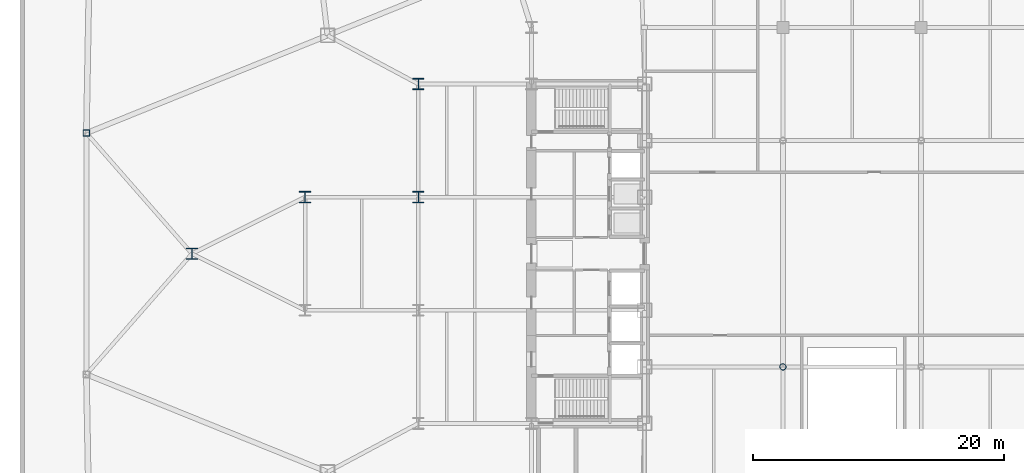
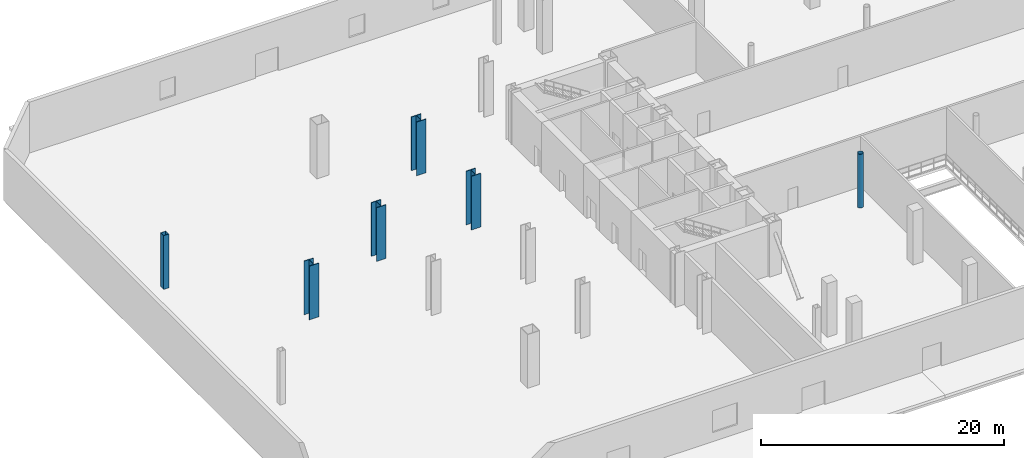
# One storey, part 2 of 21: 6 columns.
"""IFC4 building model written with IfcOpenShell, lengths in metres."""

from ifc_helpers import new_model, si_unit, direction, frame, origin, origin_2d, place, context, subcontext, project, spatial, hollow_rectangle, hollow_circle, i_section, extrude, source, transform, mapped, material, material_profile, profile_set, type_object, type_shapes, element, save


model = new_model("IFC4")

# Units and contexts
model_context = context("Model", 3, precision=1e-05, world=origin(), true_north=direction((0.0, 1.0)))
body_context = subcontext(model_context, "Body", "Model", "MODEL_VIEW")
ifc_project = project(units=[si_unit("LENGTHUNIT", "METRE"), si_unit("AREAUNIT", "SQUARE_METRE"), si_unit("VOLUMEUNIT", "CUBIC_METRE"), si_unit("PLANEANGLEUNIT", "RADIAN"), si_unit("MASSUNIT", "GRAM", prefix="KILO")], contexts=[model_context])

# Site, building, storey
site_placement = place(None, origin())
site = spatial("IfcSite", under=ifc_project, at=site_placement, CompositionType="ELEMENT")
building_placement = place(site_placement, origin())
building = spatial("IfcBuilding", under=site, at=building_placement, Name="Seokmaru Belvedere", CompositionType="ELEMENT")
storey_placement = place(building_placement, origin())
storey = spatial("IfcBuildingStorey", under=building, at=storey_placement, Name="L00", CompositionType="ELEMENT", Elevation=0.0)

# Columns
ifc_material_1 = material(Name="Steel HSA650 (650 MPa)", Category="steel")
ifc_material_profile_1 = material_profile(ifc_material_1, i_section(OverallWidth=0.89990234375, OverallDepth=0.89990234375, WebThickness=0.035888671875, FlangeThickness=0.054931640625, at=origin_2d()), Name="H-900x900x36x55")
ifc_profile_set_1 = profile_set([ifc_material_profile_1], Name="Steel HSA650 (650 MPa)")
column_type_1 = type_object("IfcColumnType", Name="Lower Interior Column H-900", PredefinedType="COLUMN", material=ifc_profile_set_1)
shared_shape_1 = source(origin(), body_context, "Body", "SweptSolid", [
    extrude(i_section(OverallWidth=0.89990234375, OverallDepth=0.89990234375, WebThickness=0.035888671875, FlangeThickness=0.054931640625, at=origin_2d()), origin(), (0.0, 0.0, 1.0), 5.39990234375),
])
type_shapes(column_type_1, [shared_shape_1])
for number, where, z_axis, x_axis, name in (
    (1, (-45.5, 4.5, 0.0), (0.0, 0.0, 1.0), (1.0, 0.0, 0.0), "L00 Column WG5_3"),
    (2, (-45.5, 13.5, 0.0), (0.0, 0.0, 1.0), (1.0, 0.0, 0.0), "L00 Column WG5_4"),
    (3, (-54.5, 4.5, 0.0), (0.0, 0.0, 1.0), (1.0, 0.0, 0.0), "L00 Column WG4P_2"),
    (4, (-63.5, 0.0, 0.0), (0.0, 0.0, 1.0), (1.0, 0.0, 0.0), "L00 Column WG3P_1"),
):
    element("IfcColumn", number, at=place(storey_placement, frame(where, z_axis=z_axis, x_axis=x_axis)), inside=storey, type_object=column_type_1, Name=name, PredefinedType="COLUMN", context=body_context, shape_type="MappedRepresentation", body=[
        mapped(shared_shape_1, transform((0.0, 0.0, 0.0), scale=1.0)),
    ])
ifc_material_2 = material(Name="Steel SM355 (355 MPa)", Category="steel")
ifc_material_profile_2 = material_profile(ifc_material_2, hollow_rectangle(XDim=0.5, YDim=0.5, WallThickness=0.02001953125, at=origin_2d()), Name="HSS-500x500x20")
ifc_profile_set_2 = profile_set([ifc_material_profile_2], Name="Steel SM355 (355 MPa)")
column_type_2 = type_object("IfcColumnType", Name="Perimeter Facet Column HSS-500", PredefinedType="COLUMN", material=ifc_profile_set_2)
shared_shape_2 = source(origin(), body_context, "Body", "SweptSolid", [
    extrude(hollow_rectangle(XDim=0.5, YDim=0.5, WallThickness=0.02001953125, at=origin_2d()), origin(), (0.0, 0.0, 1.0), 5.39990234375),
])
type_shapes(column_type_2, [shared_shape_2])
column_1_placement = place(storey_placement, frame((-71.89990234375, 9.595703125, 0.0), z_axis=(0.0, 0.0, 1.0), x_axis=(1.0, 0.0, 0.0)))
element("IfcColumn", 5, at=column_1_placement, inside=storey, type_object=column_type_2, Name="L00 Column WF4", PredefinedType="COLUMN", context=body_context, shape_type="MappedRepresentation", body=[
    mapped(shared_shape_2, transform((0.0, 0.0, 0.0), scale=1.0)),
])
ifc_material_profile_3 = material_profile(ifc_material_2, hollow_circle(Radius=0.25390625, WallThickness=0.01904296875, at=origin_2d()), Name="CHS-508.0x19.0")
ifc_profile_set_3 = profile_set([ifc_material_profile_3], Name="Steel SM355 (355 MPa)")
column_type_3 = type_object("IfcColumnType", Name="Concourse Feature Column CHS-508", PredefinedType="COLUMN", material=ifc_profile_set_3)
shared_shape_3 = source(origin(), body_context, "Body", "SweptSolid", [
    extrude(hollow_circle(Radius=0.25390625, WallThickness=0.01904296875, at=origin_2d()), origin(), (0.0, 0.0, 1.0), 5.39990234375),
])
type_shapes(column_type_3, [shared_shape_3])
column_2_placement = place(storey_placement, frame((-16.5, -9.0, 0.0), z_axis=(0.0, 0.0, 1.0), x_axis=(1.0, 0.0, 0.0)))
element("IfcColumn", 6, at=column_2_placement, inside=storey, type_object=column_type_3, Name="L00 Column CP1_3", PredefinedType="COLUMN", context=body_context, shape_type="MappedRepresentation", body=[
    mapped(shared_shape_3, transform((0.0, 0.0, 0.0), scale=1.0)),
])

save(model, "model.ifc")
